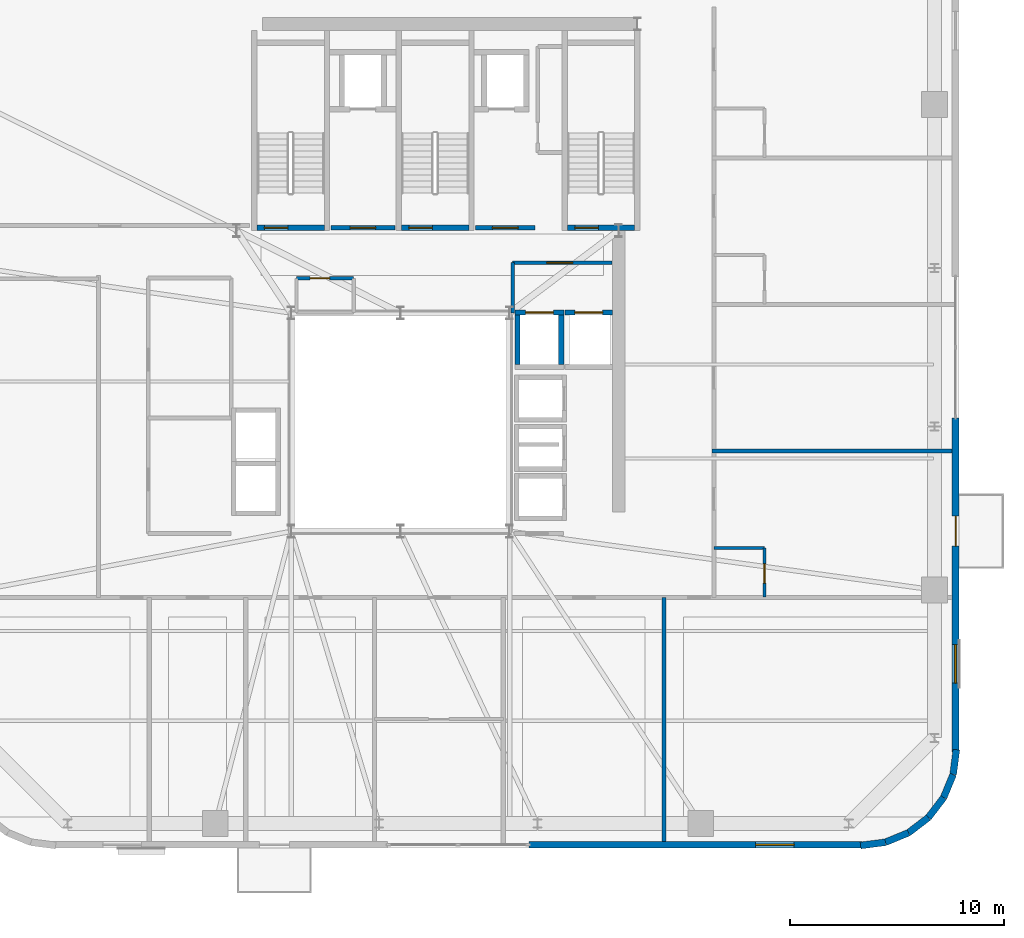
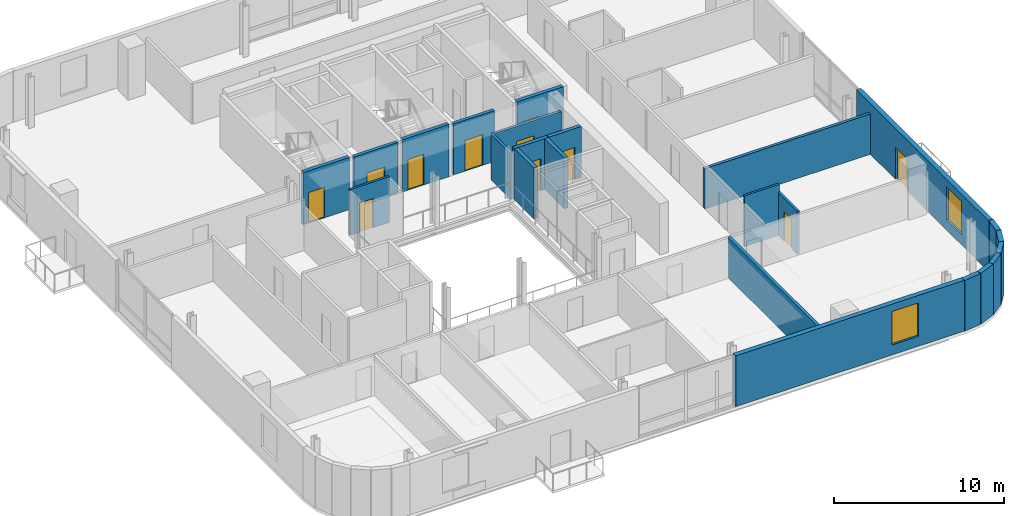
# One storey, part 9 of 15: 24 walls, 11 doors, 2 windows, 13 openings.
"""IFC4 building model written with IfcOpenShell, lengths in metres."""

from ifc_helpers import new_model, si_unit, direction, frame, frame_2d, origin, place, context, subcontext, project, spatial, rectangle, extrude, source, transform, mapped, material, layer, layer_set, type_object, element, fill, save


model = new_model("IFC4")

# Units and contexts
model_context = context("Model", 3, precision=1e-05, world=origin(), true_north=direction((0.0, 1.0)))
body_context = subcontext(model_context, "Body", "Model", "MODEL_VIEW")
ifc_project = project(units=[si_unit("LENGTHUNIT", "METRE"), si_unit("AREAUNIT", "SQUARE_METRE"), si_unit("VOLUMEUNIT", "CUBIC_METRE"), si_unit("PLANEANGLEUNIT", "RADIAN"), si_unit("MASSUNIT", "GRAM", prefix="KILO")], contexts=[model_context])

# Site, building, storey
site_placement = place(None, origin())
site = spatial("IfcSite", under=ifc_project, at=site_placement, CompositionType="ELEMENT")
building_placement = place(site_placement, origin())
building = spatial("IfcBuilding", under=site, at=building_placement, Name="Vardaveli Station Tower", CompositionType="ELEMENT")
storey_placement = place(building_placement, frame((0.0, 0.0, 250.60009765625)))
storey = spatial("IfcBuildingStorey", under=building, at=storey_placement, Name="L64", CompositionType="ELEMENT", Elevation=250.60009765625)

# Wall, opening, window
ifc_material_1 = material(Name="Precast concrete C45/55", Category="concrete")
ifc_layer_1 = layer(ifc_material_1, 0.320068359375, Name="Precast concrete C45/55")
ifc_layer_set_1 = layer_set([ifc_layer_1], Name="Precast concrete C45/55")
wall_type_1 = type_object("IfcWallType", Name="WAL-EXT-STONE-320", PredefinedType="SOLIDWALL", material=ifc_layer_set_1)
shared_shape_1 = source(origin(), body_context, "Body", "SweptSolid", [
    extrude(rectangle(XDim=15.599853515625, YDim=0.320068359375, at=frame_2d((7.7998046875, 0.0))), origin(), (0.0, 0.0, 1.0), 3.64990234375),
])
wall_1_placement = place(storey_placement, frame((42.300048828125, 1.9599609375, 0.0), z_axis=(0.0, 0.0, 1.0), x_axis=(1.0, 0.0, 0.0)))
wall_1 = element("IfcWall", 1, at=wall_1_placement, inside=storey, type_object=wall_type_1, Name="EW-L64-S2", PredefinedType="SOLIDWALL", context=body_context, shape_type="MappedRepresentation", body=[
    mapped(shared_shape_1, transform((0.0, 0.0, 0.0), scale=1.0)),
])
shared_shape_2 = source(origin(), body_context, "Body", "SweptSolid", [
    extrude(rectangle(XDim=1.800048828125, YDim=2.39990234375, at=frame_2d((0.89990234375, 1.199951171875))), frame((0.0, 0.169921875, 0.0), z_axis=(0.0, -1.0, 0.0), x_axis=(1.0, 0.0, 0.0)), (0.0, 0.0, 1.0), 0.340087890625),
])
opening_1_placement = place(wall_1_placement, frame((10.594970703125, 0.0, 0.719970703125)))
opening_1 = element("IfcOpeningElement", 2, at=opening_1_placement, cuts=wall_1, Name="Opening W-05", PredefinedType="OPENING", context=body_context, shape_type="MappedRepresentation", body=[
    mapped(shared_shape_2, transform((0.0, 0.0, 0.0), scale=1.0)),
])
ifc_material_2 = material(Name="Low-E solar-control glass", Category="glass")
window_type = type_object("IfcWindowType", Name="WIN-HIGH-1800x2400", PartitioningType="SINGLE_PANEL", PredefinedType="WINDOW", material=ifc_material_2)
shared_shape_3 = source(origin(), body_context, "Body", "SweptSolid", [
    extrude(rectangle(XDim=1.800048828125, YDim=2.39990234375, at=frame_2d((0.89990234375, 1.199951171875))), frame((0.0, 0.030029296875, 0.0), z_axis=(0.0, -1.0, 0.0), x_axis=(1.0, 0.0, 0.0)), (0.0, 0.0, 1.0), 0.06005859375),
])
window_1_placement = place(opening_1_placement, origin())
window_1 = element("IfcWindow", 3, at=window_1_placement, inside=storey, type_object=window_type, Name="WN-L64-S2", OverallHeight=2.39990234375, OverallWidth=1.800048828125, PartitioningType="SINGLE_PANEL", PredefinedType="WINDOW", context=body_context, shape_type="MappedRepresentation", body=[
    mapped(shared_shape_3, transform((0.0, 0.0, 0.0), scale=1.0)),
])
fill(opening_1, window_1)

# Wall, openings, door, window
wall_2_placement = place(storey_placement, frame((62.239990234375, 6.300048828125, 0.0), z_axis=(0.0, 0.0, 1.0), x_axis=(0.0, 1.0, 0.0)))
wall_2 = element("IfcWall", 4, at=wall_2_placement, inside=storey, type_object=wall_type_1, Name="EW-L64-E1", PredefinedType="SOLIDWALL", context=body_context, shape_type="MappedRepresentation", body=[
    mapped(shared_shape_1, transform((0.0, 0.0, 0.0), scale=1.0)),
])
shared_shape_4 = source(origin(), body_context, "Body", "SweptSolid", [
    extrude(rectangle(XDim=1.39990234375, YDim=2.300048828125, at=frame_2d((0.699951171875, 1.14990234375))), frame((0.0, 0.169921875, 0.0), z_axis=(0.0, -1.0, 0.0), x_axis=(1.0, 0.0, 0.0)), (0.0, 0.0, 1.0), 0.340087890625),
])
opening_2_placement = place(wall_2_placement, frame((9.6103515625, 0.0, 0.0)))
opening_2 = element("IfcOpeningElement", 5, at=opening_2_placement, cuts=wall_2, Name="Opening D-09", PredefinedType="OPENING", context=body_context, shape_type="MappedRepresentation", body=[
    mapped(shared_shape_4, transform((0.0, 0.0, 0.0), scale=1.0)),
])
opening_3_placement = place(wall_2_placement, frame((3.205078125, 0.0, 0.719970703125)))
opening_3 = element("IfcOpeningElement", 6, at=opening_3_placement, cuts=wall_2, Name="Opening W-05", PredefinedType="OPENING", context=body_context, shape_type="MappedRepresentation", body=[
    mapped(shared_shape_2, transform((0.0, 0.0, 0.0), scale=1.0)),
])
ifc_material_3 = material(Name="Thermally broken aluminium glass", Category="aluminium")
door_type_1 = type_object("IfcDoorType", Name="DR-LOG-1400x2300", OperationType="DOUBLE_DOOR_SLIDING", PredefinedType="DOOR", material=ifc_material_3)
shared_shape_5 = source(origin(), body_context, "Body", "SweptSolid", [
    extrude(rectangle(XDim=1.39990234375, YDim=2.300048828125, at=frame_2d((0.699951171875, 1.14990234375))), frame((0.0, 0.02490234375, 0.0), z_axis=(0.0, -1.0, 0.0), x_axis=(1.0, 0.0, 0.0)), (0.0, 0.0, 1.0), 0.050048828125),
])
door_1_placement = place(opening_2_placement, frame((1.39990234375, 0.0, 0.0), z_axis=(0.0, 0.0, 1.0), x_axis=(-1.0, 0.0, 0.0)))
door_1 = element("IfcDoor", 7, at=door_1_placement, inside=storey, type_object=door_type_1, Name="DLG-L64-E", OperationType="DOUBLE_DOOR_SLIDING", OverallHeight=2.300048828125, OverallWidth=1.39990234375, PredefinedType="DOOR", context=body_context, shape_type="MappedRepresentation", body=[
    mapped(shared_shape_5, transform((0.0, 0.0, 0.0), scale=1.0)),
])
fill(opening_2, door_1)
window_2_placement = place(opening_3_placement, origin())
window_2 = element("IfcWindow", 8, at=window_2_placement, inside=storey, type_object=window_type, Name="WN-L64-E1", OverallHeight=2.39990234375, OverallWidth=1.800048828125, PartitioningType="SINGLE_PANEL", PredefinedType="WINDOW", context=body_context, shape_type="MappedRepresentation", body=[
    mapped(shared_shape_3, transform((0.0, 0.0, 0.0), scale=1.0)),
])
fill(opening_3, window_2)

# Walls
shared_shape_6 = source(origin(), body_context, "Body", "SweptSolid", [
    extrude(rectangle(XDim=1.170654296875, YDim=0.320068359375, at=frame_2d((0.58544921875, 0.0))), origin(), (0.0, 0.0, 1.0), 3.64990234375),
])
wall_3_placement = place(storey_placement, frame((62.12548828125, 5.23974609375, 0.0), z_axis=(0.0, 0.0, 1.0), x_axis=(0.128269133229, 0.991739395941, 0.0)))
element("IfcWall", 9, at=wall_3_placement, inside=storey, type_object=wall_type_1, Name="EW-L64-CR2-6", PredefinedType="SOLIDWALL", context=body_context, shape_type="MappedRepresentation", body=[
    mapped(shared_shape_6, transform((0.0, 0.0, 0.0), scale=1.0)),
])
shared_shape_7 = source(origin(), body_context, "Body", "SweptSolid", [
    extrude(rectangle(XDim=1.1689453125, YDim=0.320068359375, at=frame_2d((0.58447265625, 0.0))), origin(), (0.0, 0.0, 1.0), 3.64990234375),
])
for number, where, z_axis, x_axis, name in (
    (10, (60.96875, 3.231201171875, 0.0), (0.0, 0.0, 1.0), (0.608387696831, 0.793639975269, 0.0), "EW-L64-CR2-4"),
    (11, (61.679931640625, 4.158935546875, 0.0), (0.0, 0.0, 1.0), (0.381127904695, 0.924522320046, 0.0), "EW-L64-CR2-5"),
):
    element("IfcWall", number, at=place(storey_placement, frame(where, z_axis=z_axis, x_axis=x_axis)), inside=storey, type_object=wall_type_1, Name=name, PredefinedType="SOLIDWALL", context=body_context, shape_type="MappedRepresentation", body=[
        mapped(shared_shape_7, transform((0.0, 0.0, 0.0), scale=1.0)),
    ])
shared_shape_8 = source(origin(), body_context, "Body", "SweptSolid", [
    extrude(rectangle(XDim=1.168701171875, YDim=0.320068359375, at=frame_2d((0.58447265625, 0.0))), origin(), (0.0, 0.0, 1.0), 3.64990234375),
])
wall_4_placement = place(storey_placement, frame((60.041259765625, 2.520263671875, 0.0), z_axis=(0.0, 0.0, 1.0), x_axis=(0.793663520347, 0.608356981114, 0.0)))
element("IfcWall", 12, at=wall_4_placement, inside=storey, type_object=wall_type_1, Name="EW-L64-CR2-3", PredefinedType="SOLIDWALL", context=body_context, shape_type="MappedRepresentation", body=[
    mapped(shared_shape_8, transform((0.0, 0.0, 0.0), scale=1.0)),
])
shared_shape_9 = source(origin(), body_context, "Body", "SweptSolid", [
    extrude(rectangle(XDim=1.16943359375, YDim=0.320068359375, at=frame_2d((0.584716796875, 0.0))), origin(), (0.0, 0.0, 1.0), 3.64990234375),
])
wall_5_placement = place(storey_placement, frame((58.960205078125, 2.074462890625, 0.0), z_axis=(0.0, 0.0, 1.0), x_axis=(0.924479075121, 0.381232789334, 0.0)))
element("IfcWall", 13, at=wall_5_placement, inside=storey, type_object=wall_type_1, Name="EW-L64-CR2-2", PredefinedType="SOLIDWALL", context=body_context, shape_type="MappedRepresentation", body=[
    mapped(shared_shape_9, transform((0.0, 0.0, 0.0), scale=1.0)),
])
shared_shape_10 = source(origin(), body_context, "Body", "SweptSolid", [
    extrude(rectangle(XDim=1.170166015625, YDim=0.320068359375, at=frame_2d((0.5849609375, 0.0))), origin(), (0.0, 0.0, 1.0), 3.64990234375),
])
wall_6_placement = place(storey_placement, frame((57.799560546875, 1.924560546875, 0.0), z_axis=(0.0, 0.0, 1.0), x_axis=(0.991762485493, 0.128090485085, 0.0)))
element("IfcWall", 14, at=wall_6_placement, inside=storey, type_object=wall_type_1, Name="EW-L64-CR2-1", PredefinedType="SOLIDWALL", context=body_context, shape_type="MappedRepresentation", body=[
    mapped(shared_shape_10, transform((0.0, 0.0, 0.0), scale=1.0)),
])

# Wall, opening, door
ifc_material_4 = material(Name="Concrete C40/50", Category="concrete")
ifc_layer_2 = layer(ifc_material_4, 0.25, Name="Concrete C40/50")
ifc_layer_set_2 = layer_set([ifc_layer_2], Name="Concrete C40/50")
wall_type_2 = type_object("IfcWallType", Name="WAL-SHAFT-250", PredefinedType="SOLIDWALL", material=ifc_layer_set_2)
shared_shape_11 = source(origin(), body_context, "Body", "SweptSolid", [
    extrude(rectangle(XDim=3.14990234375, YDim=0.25, at=frame_2d((1.574951171875, 0.0))), origin(), (0.0, 0.0, 1.0), 3.75),
])
wall_7_placement = place(storey_placement, frame((29.60009765625, 30.77490234375, 0.0), z_axis=(0.0, 0.0, 1.0), x_axis=(1.0, 0.0, 0.0)))
wall_7 = element("IfcWall", 15, at=wall_7_placement, inside=storey, type_object=wall_type_2, Name="W-L64-ST-1S", PredefinedType="SOLIDWALL", context=body_context, shape_type="MappedRepresentation", body=[
    mapped(shared_shape_11, transform((0.0, 0.0, 0.0), scale=1.0)),
])
shared_shape_12 = source(origin(), body_context, "Body", "SweptSolid", [
    extrude(rectangle(XDim=1.10009765625, YDim=2.199951171875, at=frame_2d((0.550048828125, 1.10009765625))), frame((0.0, 0.135009765625, 0.0), z_axis=(0.0, -1.0, 0.0), x_axis=(1.0, 0.0, 0.0)), (0.0, 0.0, 1.0), 0.27001953125),
])
opening_4_placement = place(wall_7_placement, frame((0.35009765625, 0.0, 0.0)))
opening_4 = element("IfcOpeningElement", 16, at=opening_4_placement, cuts=wall_7, Name="Opening D-04", PredefinedType="OPENING", context=body_context, shape_type="MappedRepresentation", body=[
    mapped(shared_shape_12, transform((0.0, 0.0, 0.0), scale=1.0)),
])
ifc_material_5 = material(Name="Steel smokeproof fire doorset", Category="steel")
door_type_2 = type_object("IfcDoorType", Name="DR-ST-1100x2200", OperationType="NOTDEFINED", PredefinedType="DOOR", material=ifc_material_5)
shared_shape_13 = source(origin(), body_context, "Body", "SweptSolid", [
    extrude(rectangle(XDim=1.10009765625, YDim=2.199951171875, at=frame_2d((0.550048828125, 1.10009765625))), frame((0.0, 0.02490234375, 0.0), z_axis=(0.0, -1.0, 0.0), x_axis=(1.0, 0.0, 0.0)), (0.0, 0.0, 1.0), 0.050048828125),
])
door_2_placement = place(opening_4_placement, origin())
door_2 = element("IfcDoor", 17, at=door_2_placement, inside=storey, type_object=door_type_2, Name="DST-1-L64", OperationType="SINGLE_SWING_LEFT", OverallHeight=2.199951171875, OverallWidth=1.10009765625, PredefinedType="DOOR", context=body_context, shape_type="MappedRepresentation", body=[
    mapped(shared_shape_13, transform((0.0, 0.0, 0.0), scale=1.0)),
])
fill(opening_4, door_2)

wall_8_placement = place(storey_placement, frame((36.35009765625, 30.77490234375, 0.0), z_axis=(0.0, 0.0, 1.0), x_axis=(1.0, 0.0, 0.0)))
wall_8 = element("IfcWall", 18, at=wall_8_placement, inside=storey, type_object=wall_type_2, Name="W-L64-ST-2S", PredefinedType="SOLIDWALL", context=body_context, shape_type="MappedRepresentation", body=[
    mapped(shared_shape_11, transform((0.0, 0.0, 0.0), scale=1.0)),
])
opening_5_placement = place(wall_8_placement, frame((0.35009765625, 0.0, 0.0)))
opening_5 = element("IfcOpeningElement", 19, at=opening_5_placement, cuts=wall_8, Name="Opening D-04", PredefinedType="OPENING", context=body_context, shape_type="MappedRepresentation", body=[
    mapped(shared_shape_12, transform((0.0, 0.0, 0.0), scale=1.0)),
])
door_3_placement = place(opening_5_placement, origin())
door_3 = element("IfcDoor", 20, at=door_3_placement, inside=storey, type_object=door_type_2, Name="DST-2-L64", OperationType="SINGLE_SWING_LEFT", OverallHeight=2.199951171875, OverallWidth=1.10009765625, PredefinedType="DOOR", context=body_context, shape_type="MappedRepresentation", body=[
    mapped(shared_shape_13, transform((0.0, 0.0, 0.0), scale=1.0)),
])
fill(opening_5, door_3)

wall_9_placement = place(storey_placement, frame((44.10009765625, 30.77490234375, 0.0), z_axis=(0.0, 0.0, 1.0), x_axis=(1.0, 0.0, 0.0)))
wall_9 = element("IfcWall", 21, at=wall_9_placement, inside=storey, type_object=wall_type_2, Name="W-L64-ST-3S", PredefinedType="SOLIDWALL", context=body_context, shape_type="MappedRepresentation", body=[
    mapped(shared_shape_11, transform((0.0, 0.0, 0.0), scale=1.0)),
])
opening_6_placement = place(wall_9_placement, frame((0.35009765625, 0.0, 0.0)))
opening_6 = element("IfcOpeningElement", 22, at=opening_6_placement, cuts=wall_9, Name="Opening D-04", PredefinedType="OPENING", context=body_context, shape_type="MappedRepresentation", body=[
    mapped(shared_shape_12, transform((0.0, 0.0, 0.0), scale=1.0)),
])
door_4_placement = place(opening_6_placement, origin())
door_4 = element("IfcDoor", 23, at=door_4_placement, inside=storey, type_object=door_type_2, Name="DST-3-L64", OperationType="SINGLE_SWING_LEFT", OverallHeight=2.199951171875, OverallWidth=1.10009765625, PredefinedType="DOOR", context=body_context, shape_type="MappedRepresentation", body=[
    mapped(shared_shape_13, transform((0.0, 0.0, 0.0), scale=1.0)),
])
fill(opening_6, door_4)

ifc_layer_3 = layer(ifc_material_4, 0.219970703125, Name="Concrete C40/50")
ifc_layer_set_3 = layer_set([ifc_layer_3], Name="Concrete C40/50")
wall_type_3 = type_object("IfcWallType", Name="WAL-FFLOBBY-220", PredefinedType="SOLIDWALL", material=ifc_layer_set_3)
shared_shape_14 = source(origin(), body_context, "Body", "SweptSolid", [
    extrude(rectangle(XDim=3.0, YDim=0.219970703125, at=frame_2d((1.5, 0.0))), origin(), (0.0, 0.0, 1.0), 3.64990234375),
])
wall_10_placement = place(storey_placement, frame((33.050048828125, 30.780029296875, 0.0), z_axis=(0.0, 0.0, 1.0), x_axis=(1.0, 0.0, 0.0)))
wall_10 = element("IfcWall", 24, at=wall_10_placement, inside=storey, type_object=wall_type_3, Name="W-L64-FFL1S", PredefinedType="SOLIDWALL", context=body_context, shape_type="MappedRepresentation", body=[
    mapped(shared_shape_14, transform((0.0, 0.0, 0.0), scale=1.0)),
])
shared_shape_15 = source(origin(), body_context, "Body", "SweptSolid", [
    extrude(rectangle(XDim=1.199951171875, YDim=2.199951171875, at=frame_2d((0.60009765625, 1.10009765625))), frame((0.0, 0.1201171875, 0.0), z_axis=(0.0, -1.0, 0.0), x_axis=(1.0, 0.0, 0.0)), (0.0, 0.0, 1.0), 0.239990234375),
])
opening_7_placement = place(wall_10_placement, frame((0.89990234375, 0.0, 0.0)))
opening_7 = element("IfcOpeningElement", 25, at=opening_7_placement, cuts=wall_10, Name="Opening D-03", PredefinedType="OPENING", context=body_context, shape_type="MappedRepresentation", body=[
    mapped(shared_shape_15, transform((0.0, 0.0, 0.0), scale=1.0)),
])
door_type_3 = type_object("IfcDoorType", Name="DR-FFL-1200x2200", OperationType="NOTDEFINED", PredefinedType="DOOR", material=ifc_material_5)
shared_shape_16 = source(origin(), body_context, "Body", "SweptSolid", [
    extrude(rectangle(XDim=1.199951171875, YDim=2.199951171875, at=frame_2d((0.60009765625, 1.10009765625))), frame((0.0, 0.02490234375, 0.0), z_axis=(0.0, -1.0, 0.0), x_axis=(1.0, 0.0, 0.0)), (0.0, 0.0, 1.0), 0.050048828125),
])
door_5_placement = place(opening_7_placement, origin())
door_5 = element("IfcDoor", 26, at=door_5_placement, inside=storey, type_object=door_type_3, Name="DFFL1-L64", OperationType="SINGLE_SWING_LEFT", OverallHeight=2.199951171875, OverallWidth=1.199951171875, PredefinedType="DOOR", context=body_context, shape_type="MappedRepresentation", body=[
    mapped(shared_shape_16, transform((0.0, 0.0, 0.0), scale=1.0)),
])
fill(opening_7, door_5)

shared_shape_17 = source(origin(), body_context, "Body", "SweptSolid", [
    extrude(rectangle(XDim=2.800048828125, YDim=0.219970703125, at=frame_2d((1.39990234375, 0.0))), origin(), (0.0, 0.0, 1.0), 3.64990234375),
])
wall_11_placement = place(storey_placement, frame((39.800048828125, 30.780029296875, 0.0), z_axis=(0.0, 0.0, 1.0), x_axis=(1.0, 0.0, 0.0)))
wall_11 = element("IfcWall", 27, at=wall_11_placement, inside=storey, type_object=wall_type_3, Name="W-L64-FFL2S", PredefinedType="SOLIDWALL", context=body_context, shape_type="MappedRepresentation", body=[
    mapped(shared_shape_17, transform((0.0, 0.0, 0.0), scale=1.0)),
])
opening_8_placement = place(wall_11_placement, frame((0.800048828125, 0.0, 0.0)))
opening_8 = element("IfcOpeningElement", 28, at=opening_8_placement, cuts=wall_11, Name="Opening D-03", PredefinedType="OPENING", context=body_context, shape_type="MappedRepresentation", body=[
    mapped(shared_shape_15, transform((0.0, 0.0, 0.0), scale=1.0)),
])
door_6_placement = place(opening_8_placement, origin())
door_6 = element("IfcDoor", 29, at=door_6_placement, inside=storey, type_object=door_type_3, Name="DFFL2-L64", OperationType="SINGLE_SWING_RIGHT", OverallHeight=2.199951171875, OverallWidth=1.199951171875, PredefinedType="DOOR", context=body_context, shape_type="MappedRepresentation", body=[
    mapped(shared_shape_16, transform((0.0, 0.0, 0.0), scale=1.0)),
])
fill(opening_8, door_6)

shared_shape_18 = source(origin(), body_context, "Body", "SweptSolid", [
    extrude(rectangle(XDim=2.300048828125, YDim=0.25, at=frame_2d((1.14990234375, 0.0))), origin(), (0.0, 0.0, 1.0), 3.64990234375),
])
wall_12_placement = place(storey_placement, frame((41.64990234375, 26.824951171875, 0.0), z_axis=(0.0, 0.0, 1.0), x_axis=(1.0, 0.0, 0.0)))
wall_12 = element("IfcWall", 30, at=wall_12_placement, inside=storey, type_object=wall_type_2, Name="SHW-SRV-01-L64-N", PredefinedType="SOLIDWALL", context=body_context, shape_type="MappedRepresentation", body=[
    mapped(shared_shape_18, transform((0.0, 0.0, 0.0), scale=1.0)),
])
shared_shape_19 = source(origin(), body_context, "Body", "SweptSolid", [
    extrude(rectangle(XDim=1.300048828125, YDim=2.300048828125, at=frame_2d((0.64990234375, 1.14990234375))), frame((0.0, 0.135009765625, 0.0), z_axis=(0.0, -1.0, 0.0), x_axis=(1.0, 0.0, 0.0)), (0.0, 0.0, 1.0), 0.27001953125),
])
opening_9_placement = place(wall_12_placement, frame((0.5, 0.0, 0.0)))
opening_9 = element("IfcOpeningElement", 31, at=opening_9_placement, cuts=wall_12, Name="Opening LD-03", PredefinedType="OPENING", context=body_context, shape_type="MappedRepresentation", body=[
    mapped(shared_shape_19, transform((0.0, 0.0, 0.0), scale=1.0)),
])
ifc_material_6 = material(Name="Brushed stainless steel", Category="steel")
door_type_4 = type_object("IfcDoorType", Name="DR-LD-1300x2300", OperationType="DOUBLE_DOOR_SLIDING", PredefinedType="DOOR", material=ifc_material_6)
shared_shape_20 = source(origin(), body_context, "Body", "SweptSolid", [
    extrude(rectangle(XDim=1.300048828125, YDim=2.300048828125, at=frame_2d((0.64990234375, 1.14990234375))), frame((0.0, 0.02490234375, 0.0), z_axis=(0.0, -1.0, 0.0), x_axis=(1.0, 0.0, 0.0)), (0.0, 0.0, 1.0), 0.050048828125),
])
door_7_placement = place(opening_9_placement, origin())
door_7 = element("IfcDoor", 32, at=door_7_placement, inside=storey, type_object=door_type_4, Name="LD-SRV-01-L64", OperationType="DOUBLE_DOOR_SLIDING", OverallHeight=2.300048828125, OverallWidth=1.300048828125, PredefinedType="DOOR", context=body_context, shape_type="MappedRepresentation", body=[
    mapped(shared_shape_20, transform((0.0, 0.0, 0.0), scale=1.0)),
])
fill(opening_9, door_7)

# Walls
for number, where, z_axis, x_axis, name in (
    (33, (41.77490234375, 24.39990234375, 0.0), (0.0, 0.0, 1.0), (0.0, 1.0, 0.0), "SHW-SRV-01-L64-W"),
    (34, (43.824951171875, 24.39990234375, 0.0), (0.0, 0.0, 1.0), (0.0, 1.0, 0.0), "SHW-SRV-01-L64-E"),
):
    element("IfcWall", number, at=place(storey_placement, frame(where, z_axis=z_axis, x_axis=x_axis)), inside=storey, type_object=wall_type_2, Name=name, PredefinedType="SOLIDWALL", context=body_context, shape_type="MappedRepresentation", body=[
        mapped(shared_shape_18, transform((0.0, 0.0, 0.0), scale=1.0)),
    ])

# Wall, opening, door
shared_shape_21 = source(origin(), body_context, "Body", "SweptSolid", [
    extrude(rectangle(XDim=2.199951171875, YDim=0.25, at=frame_2d((1.10009765625, 0.0))), origin(), (0.0, 0.0, 1.0), 3.64990234375),
])
wall_13_placement = place(storey_placement, frame((44.0, 26.824951171875, 0.0), z_axis=(0.0, 0.0, 1.0), x_axis=(1.0, 0.0, 0.0)))
wall_13 = element("IfcWall", 35, at=wall_13_placement, inside=storey, type_object=wall_type_2, Name="SHW-SRV-02-L64-N", PredefinedType="SOLIDWALL", context=body_context, shape_type="MappedRepresentation", body=[
    mapped(shared_shape_21, transform((0.0, 0.0, 0.0), scale=1.0)),
])
opening_10_placement = place(wall_13_placement, frame((0.449951171875, 0.0, 0.0)))
opening_10 = element("IfcOpeningElement", 36, at=opening_10_placement, cuts=wall_13, Name="Opening LD-03", PredefinedType="OPENING", context=body_context, shape_type="MappedRepresentation", body=[
    mapped(shared_shape_19, transform((0.0, 0.0, 0.0), scale=1.0)),
])
door_8_placement = place(opening_10_placement, origin())
door_8 = element("IfcDoor", 37, at=door_8_placement, inside=storey, type_object=door_type_4, Name="LD-SRV-02-L64", OperationType="DOUBLE_DOOR_SLIDING", OverallHeight=2.300048828125, OverallWidth=1.300048828125, PredefinedType="DOOR", context=body_context, shape_type="MappedRepresentation", body=[
    mapped(shared_shape_20, transform((0.0, 0.0, 0.0), scale=1.0)),
])
fill(opening_10, door_8)

ifc_material_7 = material(Name="Fire-rated gypsum stud partition")
ifc_layer_4 = layer(ifc_material_7, 0.179931640625, Name="Fire-rated gypsum stud partition")
ifc_layer_set_4 = layer_set([ifc_layer_4], Name="Fire-rated gypsum stud partition")
wall_type_4 = type_object("IfcWallType", Name="WAL-CORR-180", PredefinedType="PARTITIONING", material=ifc_layer_set_4)
shared_shape_22 = source(origin(), body_context, "Body", "SweptSolid", [
    extrude(rectangle(XDim=4.64794921875, YDim=0.179931640625, at=frame_2d((2.323974609375, 0.0))), origin(), (0.0, 0.0, 1.0), 3.281982421875),
])
wall_14_placement = place(storey_placement, frame((41.550048828125, 29.14990234375, 0.0), z_axis=(0.0, 0.0, 1.0), x_axis=(1.0, 0.0, 0.0)))
wall_14 = element("IfcWall", 38, at=wall_14_placement, inside=storey, type_object=wall_type_4, Name="W-L64-SVFN", PredefinedType="PARTITIONING", context=body_context, shape_type="MappedRepresentation", body=[
    mapped(shared_shape_22, transform((0.0, 0.0, 0.0), scale=1.0)),
])
shared_shape_23 = source(origin(), body_context, "Body", "SweptSolid", [
    extrude(rectangle(XDim=1.199951171875, YDim=2.199951171875, at=frame_2d((0.60009765625, 1.10009765625))), frame((0.0, 0.10009765625, 0.0), z_axis=(0.0, -1.0, 0.0), x_axis=(1.0, 0.0, 0.0)), (0.0, 0.0, 1.0), 0.199951171875),
])
opening_11_placement = place(wall_14_placement, frame((1.60009765625, 0.0, 0.0)))
opening_11 = element("IfcOpeningElement", 39, at=opening_11_placement, cuts=wall_14, Name="Opening D-03", PredefinedType="OPENING", context=body_context, shape_type="MappedRepresentation", body=[
    mapped(shared_shape_23, transform((0.0, 0.0, 0.0), scale=1.0)),
])
door_9_placement = place(opening_11_placement, origin())
door_9 = element("IfcDoor", 40, at=door_9_placement, inside=storey, type_object=door_type_3, Name="D-L64-SVF", OperationType="SINGLE_SWING_LEFT", OverallHeight=2.199951171875, OverallWidth=1.199951171875, PredefinedType="DOOR", context=body_context, shape_type="MappedRepresentation", body=[
    mapped(shared_shape_16, transform((0.0, 0.0, 0.0), scale=1.0)),
])
fill(opening_11, door_9)

ifc_material_8 = material(Name="Moisture-resistant stud partition")
ifc_layer_5 = layer(ifc_material_8, 0.14990234375, Name="Moisture-resistant stud partition")
ifc_layer_set_5 = layer_set([ifc_layer_5], Name="Moisture-resistant stud partition")
wall_type_5 = type_object("IfcWallType", Name="WAL-WET-150", PredefinedType="PARTITIONING", material=ifc_layer_set_5)
shared_shape_24 = source(origin(), body_context, "Body", "SweptSolid", [
    extrude(rectangle(XDim=2.670166015625, YDim=0.14990234375, at=frame_2d((1.3349609375, 0.0))), origin(), (0.0, 0.0, 1.0), 3.281982421875),
])
wall_15_placement = place(storey_placement, frame((31.449951171875, 28.419921875, 0.0), z_axis=(0.0, 0.0, 1.0), x_axis=(1.0, 0.0, 0.0)))
wall_15 = element("IfcWall", 41, at=wall_15_placement, inside=storey, type_object=wall_type_5, Name="W-L64-WCA1-N", PredefinedType="PARTITIONING", context=body_context, shape_type="MappedRepresentation", body=[
    mapped(shared_shape_24, transform((0.0, 0.0, 0.0), scale=1.0)),
])
shared_shape_25 = source(origin(), body_context, "Body", "SweptSolid", [
    extrude(rectangle(XDim=0.919921875, YDim=2.10009765625, at=frame_2d((0.4599609375, 1.050048828125))), frame((0.0, 0.0849609375, 0.0), z_axis=(0.0, -1.0, 0.0), x_axis=(1.0, 0.0, 0.0)), (0.0, 0.0, 1.0), 0.169921875),
])
opening_12_placement = place(wall_15_placement, frame((0.6298828125, 0.0, 0.0)))
opening_12 = element("IfcOpeningElement", 42, at=opening_12_placement, cuts=wall_15, Name="Opening D-07", PredefinedType="OPENING", context=body_context, shape_type="MappedRepresentation", body=[
    mapped(shared_shape_25, transform((0.0, 0.0, 0.0), scale=1.0)),
])
ifc_material_9 = material(Name="Moisture-resistant hardwood door", Category="wood")
door_type_5 = type_object("IfcDoorType", Name="DR-WC-920x2100", OperationType="NOTDEFINED", PredefinedType="DOOR", material=ifc_material_9)
shared_shape_26 = source(origin(), body_context, "Body", "SweptSolid", [
    extrude(rectangle(XDim=0.919921875, YDim=2.10009765625, at=frame_2d((0.4599609375, 1.050048828125))), frame((0.0, 0.02490234375, 0.0), z_axis=(0.0, -1.0, 0.0), x_axis=(1.0, 0.0, 0.0)), (0.0, 0.0, 1.0), 0.050048828125),
])
door_10_placement = place(opening_12_placement, origin())
door_10 = element("IfcDoor", 43, at=door_10_placement, inside=storey, type_object=door_type_5, Name="D-L64-WCA", OperationType="SINGLE_SWING_RIGHT", OverallHeight=2.10009765625, OverallWidth=0.919921875, PredefinedType="DOOR", context=body_context, shape_type="MappedRepresentation", body=[
    mapped(shared_shape_26, transform((0.0, 0.0, 0.0), scale=1.0)),
])
fill(opening_12, door_10)

shared_shape_27 = source(origin(), body_context, "Body", "SweptSolid", [
    extrude(rectangle(XDim=2.2900390625, YDim=0.14990234375, at=frame_2d((1.14501953125, 0.0))), origin(), (0.0, 0.0, 1.0), 3.091796875),
])
wall_16_placement = place(storey_placement, frame((53.31005859375, 13.530029296875, 0.0), z_axis=(0.0, 0.0, 1.0), x_axis=(0.0, 1.0, 0.0)))
wall_16 = element("IfcWall", 44, at=wall_16_placement, inside=storey, type_object=wall_type_5, Name="W-L64-BE1-E", PredefinedType="PARTITIONING", context=body_context, shape_type="MappedRepresentation", body=[
    mapped(shared_shape_27, transform((0.0, 0.0, 0.0), scale=1.0)),
])
shared_shape_28 = source(origin(), body_context, "Body", "SweptSolid", [
    extrude(rectangle(XDim=0.89990234375, YDim=2.10009765625, at=frame_2d((0.449951171875, 1.050048828125))), frame((0.0, 0.0849609375, 0.0), z_axis=(0.0, -1.0, 0.0), x_axis=(1.0, 0.0, 0.0)), (0.0, 0.0, 1.0), 0.169921875),
])
opening_13_placement = place(wall_16_placement, frame((0.64990234375, 0.0, 0.0)))
opening_13 = element("IfcOpeningElement", 45, at=opening_13_placement, cuts=wall_16, Name="Opening D-08", PredefinedType="OPENING", context=body_context, shape_type="MappedRepresentation", body=[
    mapped(shared_shape_28, transform((0.0, 0.0, 0.0), scale=1.0)),
])
ifc_material_10 = material(Name="Moisture-resistant oak door")
door_type_6 = type_object("IfcDoorType", Name="DR-BATH-900x2100", OperationType="NOTDEFINED", PredefinedType="DOOR", material=ifc_material_10)
shared_shape_29 = source(origin(), body_context, "Body", "SweptSolid", [
    extrude(rectangle(XDim=0.89990234375, YDim=2.10009765625, at=frame_2d((0.449951171875, 1.050048828125))), frame((0.0, 0.02490234375, 0.0), z_axis=(0.0, -1.0, 0.0), x_axis=(1.0, 0.0, 0.0)), (0.0, 0.0, 1.0), 0.050048828125),
])
door_11_placement = place(opening_13_placement, origin())
door_11 = element("IfcDoor", 46, at=door_11_placement, inside=storey, type_object=door_type_6, Name="D-L64-BE1", OperationType="SINGLE_SWING_RIGHT", OverallHeight=2.10009765625, OverallWidth=0.89990234375, PredefinedType="DOOR", context=body_context, shape_type="MappedRepresentation", body=[
    mapped(shared_shape_29, transform((0.0, 0.0, 0.0), scale=1.0)),
])
fill(opening_13, door_11)

# Walls
ifc_material_11 = material(Name="Acoustic twin-stud gypsum partition")
ifc_layer_6 = layer(ifc_material_11, 0.199951171875, Name="Acoustic twin-stud gypsum partition")
ifc_layer_set_6 = layer_set([ifc_layer_6], Name="Acoustic twin-stud gypsum partition")
wall_type_6 = type_object("IfcWallType", Name="WAL-PARTY-200", PredefinedType="PARTITIONING", material=ifc_layer_set_6)
shared_shape_30 = source(origin(), body_context, "Body", "SweptSolid", [
    extrude(rectangle(XDim=11.387939453125, YDim=0.199951171875, at=frame_2d((5.69384765625, 0.0))), origin(), (0.0, 0.0, 1.0), 2.891845703125),
])
wall_17_placement = place(storey_placement, frame((48.6201171875, 2.1220703125, 0.0), z_axis=(0.0, 0.0, 1.0), x_axis=(0.0, 1.0, 0.0)))
element("IfcWall", 47, at=wall_17_placement, inside=storey, type_object=wall_type_6, Name="W-L64-PS5", PredefinedType="PARTITIONING", context=body_context, shape_type="MappedRepresentation", body=[
    mapped(shared_shape_30, transform((0.0, 0.0, 0.0), scale=1.0)),
])
shared_shape_31 = source(origin(), body_context, "Body", "SweptSolid", [
    extrude(rectangle(XDim=11.227783203125, YDim=0.199951171875, at=frame_2d((5.61376953125, 0.0))), origin(), (0.0, 0.0, 1.0), 2.891845703125),
])
wall_18_placement = place(storey_placement, frame((50.85009765625, 20.35205078125, 0.0), z_axis=(0.0, 0.0, 1.0), x_axis=(1.0, 0.0, 0.0)))
element("IfcWall", 48, at=wall_18_placement, inside=storey, type_object=wall_type_6, Name="W-L64-PE1", PredefinedType="PARTITIONING", context=body_context, shape_type="MappedRepresentation", body=[
    mapped(shared_shape_31, transform((0.0, 0.0, 0.0), scale=1.0)),
])
shared_shape_32 = source(origin(), body_context, "Body", "SweptSolid", [
    extrude(rectangle(XDim=2.360107421875, YDim=0.14990234375, at=frame_2d((1.18017578125, 0.0))), origin(), (0.0, 0.0, 1.0), 3.64990234375),
])
wall_19_placement = place(storey_placement, frame((50.949951171875, 15.820068359375, 0.0), z_axis=(0.0, 0.0, 1.0), x_axis=(1.0, 0.0, 0.0)))
element("IfcWall", 49, at=wall_19_placement, inside=storey, type_object=wall_type_5, Name="W-L64-BE1-N", PredefinedType="PARTITIONING", context=body_context, shape_type="MappedRepresentation", body=[
    mapped(shared_shape_32, transform((0.0, 0.0, 0.0), scale=1.0)),
])
shared_shape_33 = source(origin(), body_context, "Body", "SweptSolid", [
    extrude(rectangle(XDim=2.349853515625, YDim=0.179931640625, at=frame_2d((1.1748046875, 0.0))), origin(), (0.0, 0.0, 1.0), 3.281982421875),
])
wall_20_placement = place(storey_placement, frame((41.550048828125, 26.800048828125, 0.0), z_axis=(0.0, 0.0, 1.0), x_axis=(0.0, 1.0, 0.0)))
element("IfcWall", 50, at=wall_20_placement, inside=storey, type_object=wall_type_4, Name="W-L64-SVFW", PredefinedType="PARTITIONING", context=body_context, shape_type="MappedRepresentation", body=[
    mapped(shared_shape_33, transform((0.0, 0.0, 0.0), scale=1.0)),
])

save(model, "model.ifc")
